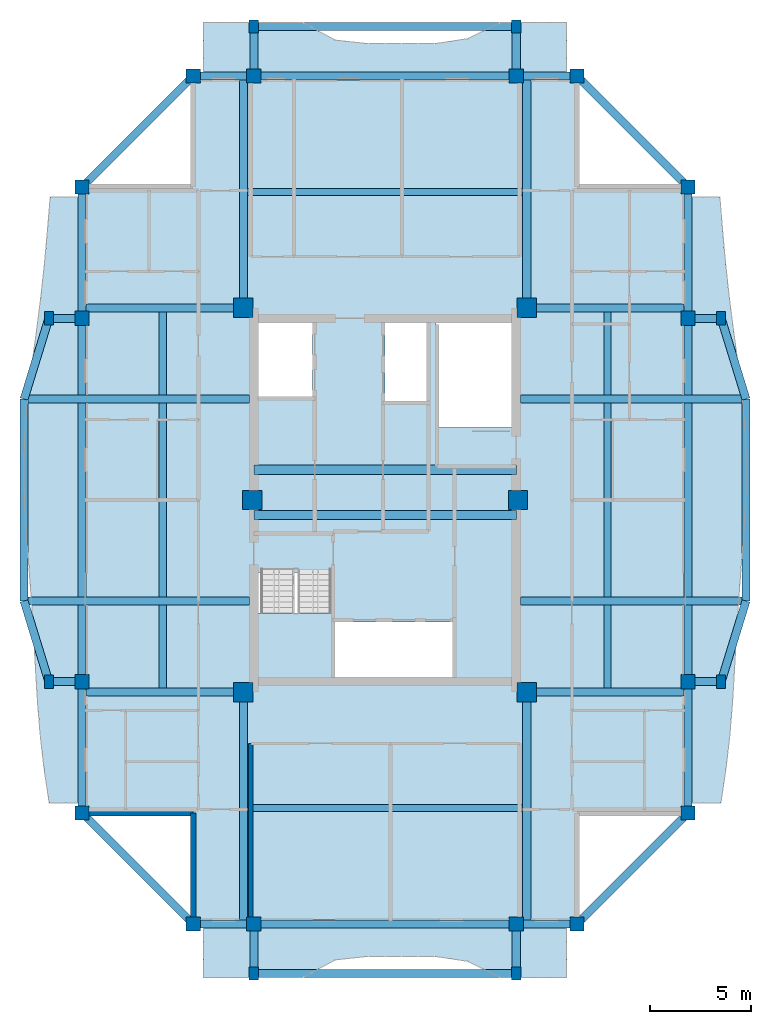
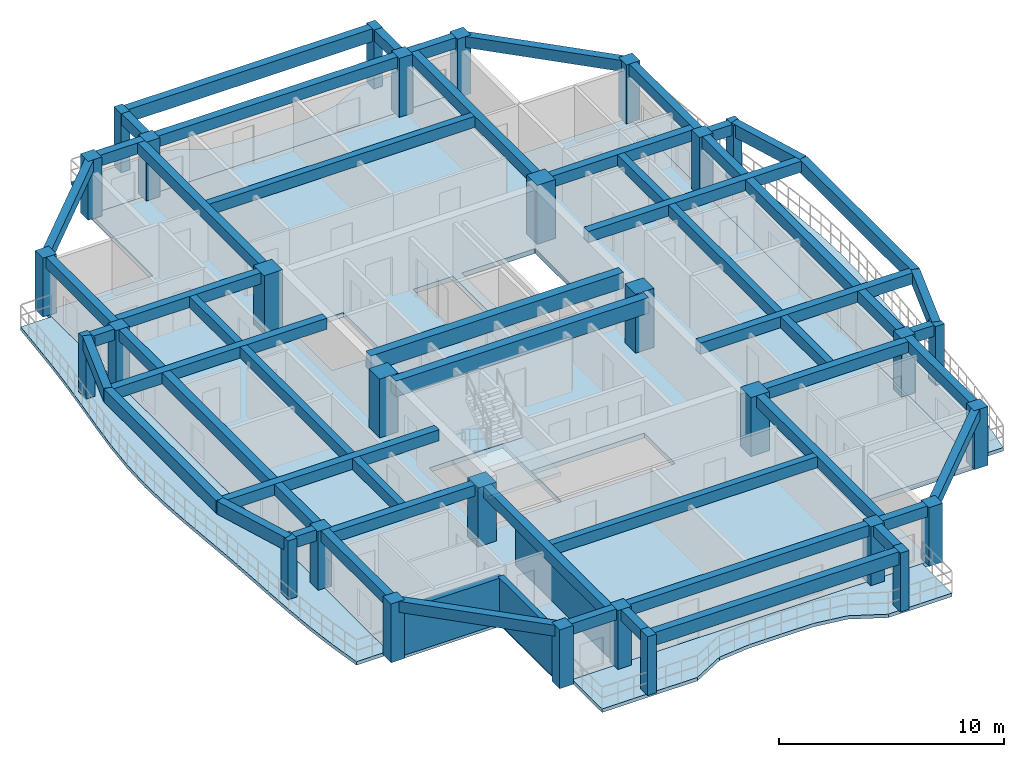
# One storey, part 1 of 11: 50 beams, 30 columns, 6 slabs, 3 walls, 1 element without a shape of its own.
"""IFC4 building model written with IfcOpenShell, lengths in metres."""

from ifc_helpers import new_model, si_unit, direction, frame, frame_2d, origin, origin_2d, place, context, subcontext, project, spatial, polyline, rectangle, outline, extrude, source, transform, mapped, material, layer, layer_set, material_profile, profile_set, type_object, element, aggregate, save


model = new_model("IFC4")

# Units and contexts
model_context = context("Model", 3, precision=1e-05, world=origin(), true_north=direction((0.0, 1.0)))
body_context = subcontext(model_context, "Body", "Model", "MODEL_VIEW")
ifc_project = project(units=[si_unit("LENGTHUNIT", "METRE"), si_unit("AREAUNIT", "SQUARE_METRE"), si_unit("VOLUMEUNIT", "CUBIC_METRE"), si_unit("PLANEANGLEUNIT", "RADIAN"), si_unit("MASSUNIT", "GRAM", prefix="KILO")], contexts=[model_context])

# Site, building, storey
site_placement = place(None, origin())
site = spatial("IfcSite", under=ifc_project, at=site_placement, CompositionType="ELEMENT")
building_placement = place(site_placement, origin())
building = spatial("IfcBuilding", under=site, at=building_placement, Name="Saelheon Loggia Tower", CompositionType="ELEMENT")
storey_placement = place(building_placement, frame((0.0, 0.0, 249.0)))
storey = spatial("IfcBuildingStorey", under=building, at=storey_placement, Name="L77", CompositionType="ELEMENT", Elevation=249.0)

# Columns
ifc_material_1 = material(Name="Concrete C45/55", Category="concrete")
ifc_material_profile_1 = material_profile(ifc_material_1, rectangle(XDim=0.949951171875, YDim=0.949951171875, at=origin_2d()), Name="RC-950x950")
ifc_profile_set_1 = profile_set([ifc_material_profile_1], Name="Concrete C45/55")
column_type_1 = type_object("IfcColumnType", Name="Col_Core_RC950", PredefinedType="COLUMN", material=ifc_profile_set_1)
shared_shape_1 = source(origin(), body_context, "Body", "SweptSolid", [
    extrude(rectangle(XDim=0.949951171875, YDim=0.949951171875, at=origin_2d()), origin(), (0.0, 0.0, 1.0), 3.199951171875),
])
for number, where, z_axis, x_axis, name in (
    (1, (30.97998046875, 17.47998046875, 0.0), (0.0, 0.0, 1.0), (1.0, 0.0, 0.0), "L77 Core Column CR-SW"),
    (2, (45.02001953125, 17.47998046875, 0.0), (0.0, 0.0, 1.0), (1.0, 0.0, 0.0), "L77 Core Column CR-SE"),
    (3, (30.97998046875, 36.52001953125, 0.0), (0.0, 0.0, 1.0), (1.0, 0.0, 0.0), "L77 Core Column CR-NW"),
    (4, (45.02001953125, 36.52001953125, 0.0), (0.0, 0.0, 1.0), (1.0, 0.0, 0.0), "L77 Core Column CR-NE"),
    (5, (31.419921875, 27.0, 0.0), (0.0, 0.0, 1.0), (1.0, 0.0, 0.0), "L77 Core Column CR-MW"),
    (6, (44.580078125, 27.0, 0.0), (0.0, 0.0, 1.0), (1.0, 0.0, 0.0), "L77 Core Column CR-ME"),
):
    element("IfcColumn", number, at=place(storey_placement, frame(where, z_axis=z_axis, x_axis=x_axis)), inside=storey, type_object=column_type_1, Name=name, PredefinedType="COLUMN", context=body_context, shape_type="MappedRepresentation", body=[
        mapped(shared_shape_1, transform((0.0, 0.0, 0.0), scale=1.0)),
    ])
ifc_material_profile_2 = material_profile(ifc_material_1, rectangle(XDim=0.699951171875, YDim=0.699951171875, at=origin_2d()), Name="RC-700x700")
ifc_profile_set_2 = profile_set([ifc_material_profile_2], Name="Concrete C45/55")
column_type_2 = type_object("IfcColumnType", Name="Col_Perim_RC700", PredefinedType="COLUMN", material=ifc_profile_set_2)
shared_shape_2 = source(origin(), body_context, "Body", "SweptSolid", [
    extrude(rectangle(XDim=0.699951171875, YDim=0.699951171875, at=origin_2d()), origin(), (0.0, 0.0, 1.0), 3.199951171875),
])
for number, where, z_axis, x_axis, name in (
    (7, (28.5, 6.0, 0.0), (0.0, 0.0, 1.0), (1.0, 0.0, 0.0), "L77 Perimeter Column TP-S1"),
    (8, (31.5, 6.0, 0.0), (0.0, 0.0, 1.0), (1.0, 0.0, 0.0), "L77 Perimeter Column TP-SA"),
    (9, (44.5, 6.0, 0.0), (0.0, 0.0, 1.0), (1.0, 0.0, 0.0), "L77 Perimeter Column TP-SB"),
    (10, (47.5, 6.0, 0.0), (0.0, 0.0, 1.0), (1.0, 0.0, 0.0), "L77 Perimeter Column TP-S2"),
    (11, (53.0, 11.5, 0.0), (0.0, 0.0, 1.0), (1.0, 0.0, 0.0), "L77 Perimeter Column TP-E1"),
    (12, (53.0, 18.0, 0.0), (0.0, 0.0, 1.0), (1.0, 0.0, 0.0), "L77 Perimeter Column TP-EA"),
    (13, (53.0, 36.0, 0.0), (0.0, 0.0, 1.0), (1.0, 0.0, 0.0), "L77 Perimeter Column TP-EB"),
    (14, (53.0, 42.5, 0.0), (0.0, 0.0, 1.0), (1.0, 0.0, 0.0), "L77 Perimeter Column TP-E2"),
    (15, (47.5, 48.0, 0.0), (0.0, 0.0, 1.0), (1.0, 0.0, 0.0), "L77 Perimeter Column TP-N2"),
    (16, (44.5, 48.0, 0.0), (0.0, 0.0, 1.0), (1.0, 0.0, 0.0), "L77 Perimeter Column TP-NB"),
    (17, (31.5, 48.0, 0.0), (0.0, 0.0, 1.0), (1.0, 0.0, 0.0), "L77 Perimeter Column TP-NA"),
    (18, (28.5, 48.0, 0.0), (0.0, 0.0, 1.0), (1.0, 0.0, 0.0), "L77 Perimeter Column TP-N1"),
    (19, (23.0, 42.5, 0.0), (0.0, 0.0, 1.0), (1.0, 0.0, 0.0), "L77 Perimeter Column TP-W2"),
    (20, (23.0, 36.0, 0.0), (0.0, 0.0, 1.0), (1.0, 0.0, 0.0), "L77 Perimeter Column TP-WB"),
    (21, (23.0, 18.0, 0.0), (0.0, 0.0, 1.0), (1.0, 0.0, 0.0), "L77 Perimeter Column TP-WA"),
    (22, (23.0, 11.5, 0.0), (0.0, 0.0, 1.0), (1.0, 0.0, 0.0), "L77 Perimeter Column TP-W1"),
):
    element("IfcColumn", number, at=place(storey_placement, frame(where, z_axis=z_axis, x_axis=x_axis)), inside=storey, type_object=column_type_2, Name=name, PredefinedType="COLUMN", context=body_context, shape_type="MappedRepresentation", body=[
        mapped(shared_shape_2, transform((0.0, 0.0, 0.0), scale=1.0)),
    ])
ifc_material_2 = material(Name="Precast Concrete C45/55", Category="concrete")
ifc_material_profile_3 = material_profile(ifc_material_2, rectangle(XDim=0.449951171875, YDim=0.64990234375, at=origin_2d()), Name="RC-450x650")
ifc_profile_set_3 = profile_set([ifc_material_profile_3], Name="Precast Concrete C45/55")
column_type_3 = type_object("IfcColumnType", Name="Col_Loggia_Pilaster_650", PredefinedType="PILASTER", material=ifc_profile_set_3)
shared_shape_3 = source(origin(), body_context, "Body", "SweptSolid", [
    extrude(rectangle(XDim=0.449951171875, YDim=0.64990234375, at=origin_2d()), origin(), (0.0, 0.0, 1.0), 3.199951171875),
])
for number, where, z_axis, x_axis, name in (
    (23, (31.5, 3.550048828125, 0.0), (0.0, 0.0, 1.0), (1.0, 0.0, 0.0), "L77 Loggia Frame Pilaster LP-S1"),
    (24, (44.5, 3.550048828125, 0.0), (0.0, 0.0, 1.0), (1.0, 0.0, 0.0), "L77 Loggia Frame Pilaster LP-S2"),
    (25, (31.5, 50.449951171875, 0.0), (0.0, 0.0, 1.0), (1.0, 0.0, 0.0), "L77 Loggia Frame Pilaster LP-N1"),
    (26, (44.5, 50.449951171875, 0.0), (0.0, 0.0, 1.0), (1.0, 0.0, 0.0), "L77 Loggia Frame Pilaster LP-N2"),
    (27, (54.64990234375, 18.0, 0.0), (0.0, 0.0, 1.0), (1.0, 0.0, 0.0), "L77 Loggia Frame Pilaster LP-E1"),
    (28, (54.64990234375, 36.0, 0.0), (0.0, 0.0, 1.0), (1.0, 0.0, 0.0), "L77 Loggia Frame Pilaster LP-E2"),
    (29, (21.35009765625, 18.0, 0.0), (0.0, 0.0, 1.0), (1.0, 0.0, 0.0), "L77 Loggia Frame Pilaster LP-W1"),
    (30, (21.35009765625, 36.0, 0.0), (0.0, 0.0, 1.0), (1.0, 0.0, 0.0), "L77 Loggia Frame Pilaster LP-W2"),
):
    element("IfcColumn", number, at=place(storey_placement, frame(where, z_axis=z_axis, x_axis=x_axis)), inside=storey, type_object=column_type_3, Name=name, PredefinedType="PILASTER", context=body_context, shape_type="MappedRepresentation", body=[
        mapped(shared_shape_3, transform((0.0, 0.0, 0.0), scale=1.0)),
    ])

# Beams
ifc_material_3 = material(Name="Concrete C50/60", Category="concrete")
ifc_material_profile_4 = material_profile(ifc_material_3, rectangle(XDim=0.449951171875, YDim=0.85009765625, at=origin_2d()), Name="RC-450x850")
ifc_profile_set_4 = profile_set([ifc_material_profile_4], Name="Concrete C50/60")
beam_type_1 = type_object("IfcBeamType", Name="Beam_CoreLintel_RC450x850", PredefinedType="LINTEL", material=ifc_profile_set_4)
shared_shape_4 = source(origin(), body_context, "Body", "SweptSolid", [
    extrude(rectangle(XDim=0.449951171875, YDim=0.85009765625, at=origin_2d()), origin(), (0.0, 0.0, 1.0), 13.0),
])
for number, where, z_axis, x_axis, name in (
    (31, (31.5, 26.25, 2.77490234375), (1.0, 0.0, 0.0), (0.0, 1.0, 0.0), "L77 Core Coupling Lintel 1"),
    (32, (31.5, 28.5, 2.77490234375), (1.0, 0.0, 0.0), (0.0, 1.0, 0.0), "L77 Core Coupling Lintel 2"),
):
    element("IfcBeam", number, at=place(storey_placement, frame(where, z_axis=z_axis, x_axis=x_axis)), inside=storey, type_object=beam_type_1, Name=name, PredefinedType="LINTEL", context=body_context, shape_type="MappedRepresentation", body=[
        mapped(shared_shape_4, transform((0.0, 0.0, 0.0), scale=1.0)),
    ])
ifc_material_profile_5 = material_profile(ifc_material_2, rectangle(XDim=0.39990234375, YDim=0.60009765625, at=origin_2d()), Name="RC-400x600")
ifc_profile_set_5 = profile_set([ifc_material_profile_5], Name="Precast Concrete C45/55")
beam_type_2 = type_object("IfcBeamType", Name="Beam_LoggiaTie_RC400x600", PredefinedType="BEAM", material=ifc_profile_set_5)
shared_shape_5 = source(origin(), body_context, "Body", "SweptSolid", [
    extrude(rectangle(XDim=0.39990234375, YDim=0.60009765625, at=origin_2d()), origin(), (0.0, 0.0, 1.0), 2.449951171875),
])
for number, where, z_axis, x_axis, name in (
    (33, (31.5, 6.0, 2.89990234375), (0.0, -1.0, 0.0), (1.0, 0.0, 0.0), "L77 Loggia Frame Tie Beam LP-S1"),
    (34, (44.5, 6.0, 2.89990234375), (0.0, -1.0, 0.0), (1.0, 0.0, 0.0), "L77 Loggia Frame Tie Beam LP-S2"),
    (35, (31.5, 48.0, 2.89990234375), (0.0, 1.0, 0.0), (-1.0, 0.0, 0.0), "L77 Loggia Frame Tie Beam LP-N1"),
    (36, (44.5, 48.0, 2.89990234375), (0.0, 1.0, 0.0), (-1.0, 0.0, 0.0), "L77 Loggia Frame Tie Beam LP-N2"),
):
    element("IfcBeam", number, at=place(storey_placement, frame(where, z_axis=z_axis, x_axis=x_axis)), inside=storey, type_object=beam_type_2, Name=name, PredefinedType="BEAM", context=body_context, shape_type="MappedRepresentation", body=[
        mapped(shared_shape_5, transform((0.0, 0.0, 0.0), scale=1.0)),
    ])
ifc_material_profile_6 = material_profile(ifc_material_1, rectangle(XDim=0.35009765625, YDim=0.60009765625, at=origin_2d()), Name="RC-350x600")
ifc_profile_set_6 = profile_set([ifc_material_profile_6], Name="Concrete C45/55")
beam_type_3 = type_object("IfcBeamType", Name="Beam_AmenityJoist_RC350x600", PredefinedType="JOIST", material=ifc_profile_set_6)
shared_shape_6 = source(origin(), body_context, "Body", "SweptSolid", [
    extrude(rectangle(XDim=0.35009765625, YDim=0.60009765625, at=origin_2d()), origin(), (0.0, 0.0, 1.0), 14.0400390625),
])
for number, where, z_axis, x_axis, name in (
    (37, (30.97998046875, 11.739990234375, 2.89990234375), (1.0, 0.0, 0.0), (0.0, 1.0, 0.0), "L77 South Floor Joist"),
    (38, (30.97998046875, 42.260009765625, 2.89990234375), (1.0, 0.0, 0.0), (0.0, 1.0, 0.0), "L77 North Floor Joist"),
):
    element("IfcBeam", number, at=place(storey_placement, frame(where, z_axis=z_axis, x_axis=x_axis)), inside=storey, type_object=beam_type_3, Name=name, PredefinedType="JOIST", context=body_context, shape_type="MappedRepresentation", body=[
        mapped(shared_shape_6, transform((0.0, 0.0, 0.0), scale=1.0)),
    ])
shared_shape_7 = source(origin(), body_context, "Body", "SweptSolid", [
    extrude(rectangle(XDim=0.35009765625, YDim=0.60009765625, at=origin_2d()), origin(), (0.0, 0.0, 1.0), 19.0400390625),
])
for number, where, z_axis, x_axis, name in (
    (39, (26.989990234375, 17.47998046875, 2.89990234375), (0.0, 1.0, 0.0), (-1.0, 0.0, 0.0), "L77 West Floor Joist"),
    (40, (49.010009765625, 17.47998046875, 2.89990234375), (0.0, 1.0, 0.0), (-1.0, 0.0, 0.0), "L77 East Floor Joist"),
):
    element("IfcBeam", number, at=place(storey_placement, frame(where, z_axis=z_axis, x_axis=x_axis)), inside=storey, type_object=beam_type_3, Name=name, PredefinedType="JOIST", context=body_context, shape_type="MappedRepresentation", body=[
        mapped(shared_shape_7, transform((0.0, 0.0, 0.0), scale=1.0)),
    ])
shared_shape_8 = source(origin(), body_context, "Body", "SweptSolid", [
    extrude(rectangle(XDim=0.39990234375, YDim=0.60009765625, at=origin_2d()), origin(), (0.0, 0.0, 1.0), 1.64990234375),
])
for number, where, z_axis, x_axis, name in (
    (41, (53.0, 18.0, 2.89990234375), (1.0, 0.0, 0.0), (0.0, 1.0, 0.0), "L77 Loggia Frame Tie Beam LP-E1"),
    (42, (53.0, 36.0, 2.89990234375), (1.0, 0.0, 0.0), (0.0, 1.0, 0.0), "L77 Loggia Frame Tie Beam LP-E2"),
    (43, (23.0, 18.0, 2.89990234375), (-1.0, 0.0, 0.0), (0.0, -1.0, 0.0), "L77 Loggia Frame Tie Beam LP-W1"),
    (44, (23.0, 36.0, 2.89990234375), (-1.0, 0.0, 0.0), (0.0, -1.0, 0.0), "L77 Loggia Frame Tie Beam LP-W2"),
):
    element("IfcBeam", number, at=place(storey_placement, frame(where, z_axis=z_axis, x_axis=x_axis)), inside=storey, type_object=beam_type_2, Name=name, PredefinedType="BEAM", context=body_context, shape_type="MappedRepresentation", body=[
        mapped(shared_shape_8, transform((0.0, 0.0, 0.0), scale=1.0)),
    ])
ifc_material_profile_7 = material_profile(ifc_material_2, rectangle(XDim=0.39990234375, YDim=0.699951171875, at=origin_2d()), Name="RC-400x700")
ifc_profile_set_7 = profile_set([ifc_material_profile_7], Name="Precast Concrete C45/55")
beam_type_4 = type_object("IfcBeamType", Name="Beam_LoggiaSpandrel_RC400x700", PredefinedType="SPANDREL", material=ifc_profile_set_7)
shared_shape_9 = source(origin(), body_context, "Body", "SweptSolid", [
    extrude(rectangle(XDim=0.39990234375, YDim=0.699951171875, at=origin_2d()), origin(), (0.0, 0.0, 1.0), 13.0),
])
for number, where, z_axis, x_axis, name in (
    (45, (31.5, 3.550048828125, 2.85009765625), (1.0, 0.0, 0.0), (0.0, 1.0, 0.0), "L77 Loggia Spandrel Beam S"),
    (46, (31.5, 50.449951171875, 2.85009765625), (1.0, 0.0, 0.0), (0.0, 1.0, 0.0), "L77 Loggia Spandrel Beam N"),
):
    element("IfcBeam", number, at=place(storey_placement, frame(where, z_axis=z_axis, x_axis=x_axis)), inside=storey, type_object=beam_type_4, Name=name, PredefinedType="SPANDREL", context=body_context, shape_type="MappedRepresentation", body=[
        mapped(shared_shape_9, transform((0.0, 0.0, 0.0), scale=1.0)),
    ])
shared_shape_10 = source(origin(), body_context, "Body", "SweptSolid", [
    extrude(rectangle(XDim=0.39990234375, YDim=0.699951171875, at=origin_2d()), origin(), (0.0, 0.0, 1.0), 4.184814453125),
])
for number, where, z_axis, x_axis, name in (
    (47, (54.64990234375, 18.0, 2.85009765625), (0.293913664135, 0.955831971653, 0.0), (-0.955831971653, 0.293913664135, 0.0), "L77 Curved Loggia Spandrel E 1"),
    (48, (55.8798828125, 32.0, 2.85009765625), (-0.293913664135, 0.955831971653, 0.0), (-0.955831971653, -0.293913664135, 0.0), "L77 Curved Loggia Spandrel E 3"),
    (49, (21.35009765625, 18.0, 2.85009765625), (-0.293913664135, 0.955831971653, 0.0), (-0.955831971653, -0.293913664135, 0.0), "L77 Curved Loggia Spandrel W 1"),
    (50, (20.1201171875, 32.0, 2.85009765625), (0.293913664135, 0.955831971653, 0.0), (-0.955831971653, 0.293913664135, 0.0), "L77 Curved Loggia Spandrel W 3"),
):
    element("IfcBeam", number, at=place(storey_placement, frame(where, z_axis=z_axis, x_axis=x_axis)), inside=storey, type_object=beam_type_4, Name=name, PredefinedType="SPANDREL", context=body_context, shape_type="MappedRepresentation", body=[
        mapped(shared_shape_10, transform((0.0, 0.0, 0.0), scale=1.0)),
    ])
shared_shape_11 = source(origin(), body_context, "Body", "SweptSolid", [
    extrude(rectangle(XDim=0.39990234375, YDim=0.699951171875, at=origin_2d()), origin(), (0.0, 0.0, 1.0), 10.0),
])
for number, where, z_axis, x_axis, name in (
    (51, (55.8798828125, 22.0, 2.85009765625), (0.0, 1.0, 0.0), (-1.0, 0.0, 0.0), "L77 Curved Loggia Spandrel E 2"),
    (52, (20.1201171875, 22.0, 2.85009765625), (0.0, 1.0, 0.0), (-1.0, 0.0, 0.0), "L77 Curved Loggia Spandrel W 2"),
):
    element("IfcBeam", number, at=place(storey_placement, frame(where, z_axis=z_axis, x_axis=x_axis)), inside=storey, type_object=beam_type_4, Name=name, PredefinedType="SPANDREL", context=body_context, shape_type="MappedRepresentation", body=[
        mapped(shared_shape_11, transform((0.0, 0.0, 0.0), scale=1.0)),
    ])
ifc_material_4 = material(Name="Concrete C40/50", Category="concrete")
ifc_material_profile_8 = material_profile(ifc_material_4, rectangle(XDim=0.39990234375, YDim=0.60009765625, at=origin_2d()), Name="RC-400x600")
ifc_profile_set_8 = profile_set([ifc_material_profile_8], Name="Concrete C40/50")
beam_type_5 = type_object("IfcBeamType", Name="Beam_PerimUpper_RC400x600", PredefinedType="BEAM", material=ifc_profile_set_8)
shared_shape_12 = source(origin(), body_context, "Body", "SweptSolid", [
    extrude(rectangle(XDim=0.39990234375, YDim=0.60009765625, at=origin_2d()), origin(), (0.0, 0.0, 1.0), 13.0),
])
for number, where, z_axis, x_axis, name in (
    (53, (31.5, 6.0, 2.89990234375), (1.0, 0.0, 0.0), (0.0, 1.0, 0.0), "L77 Perimeter Frame Girder 02"),
    (54, (44.5, 48.0, 2.89990234375), (-1.0, 0.0, 0.0), (0.0, -1.0, 0.0), "L77 Perimeter Frame Girder 10"),
):
    element("IfcBeam", number, at=place(storey_placement, frame(where, z_axis=z_axis, x_axis=x_axis)), inside=storey, type_object=beam_type_5, Name=name, PredefinedType="BEAM", context=body_context, shape_type="MappedRepresentation", body=[
        mapped(shared_shape_12, transform((0.0, 0.0, 0.0), scale=1.0)),
    ])
shared_shape_13 = source(origin(), body_context, "Body", "SweptSolid", [
    extrude(rectangle(XDim=0.39990234375, YDim=0.60009765625, at=origin_2d()), origin(), (0.0, 0.0, 1.0), 18.0),
])
for number, where, z_axis, x_axis, name in (
    (55, (53.0, 18.0, 2.89990234375), (0.0, 1.0, 0.0), (-1.0, 0.0, 0.0), "L77 Perimeter Frame Girder 06"),
    (56, (23.0, 36.0, 2.89990234375), (0.0, -1.0, 0.0), (1.0, 0.0, 0.0), "L77 Perimeter Frame Girder 14"),
):
    element("IfcBeam", number, at=place(storey_placement, frame(where, z_axis=z_axis, x_axis=x_axis)), inside=storey, type_object=beam_type_5, Name=name, PredefinedType="BEAM", context=body_context, shape_type="MappedRepresentation", body=[
        mapped(shared_shape_13, transform((0.0, 0.0, 0.0), scale=1.0)),
    ])
ifc_material_profile_9 = material_profile(ifc_material_4, rectangle(XDim=0.39990234375, YDim=0.60009765625, at=origin_2d()), Name="RC-400x600")
ifc_profile_set_9 = profile_set([ifc_material_profile_9], Name="Concrete C40/50")
beam_type_6 = type_object("IfcBeamType", Name="Beam_UpperGirder_RC400x600", PredefinedType="BEAM", material=ifc_profile_set_9)
shared_shape_14 = source(origin(), body_context, "Body", "SweptSolid", [
    extrude(rectangle(XDim=0.39990234375, YDim=0.60009765625, at=origin_2d()), origin(), (0.0, 0.0, 1.0), 11.47998046875),
])
for number, where, z_axis, x_axis, name in (
    (57, (30.97998046875, 17.47998046875, 2.89990234375), (0.0, -1.0, 0.0), (1.0, 0.0, 0.0), "L77 Radial Floor Girder RAD-SW-S"),
    (58, (45.02001953125, 17.47998046875, 2.89990234375), (0.0, -1.0, 0.0), (1.0, 0.0, 0.0), "L77 Radial Floor Girder RAD-SE-S"),
    (59, (30.97998046875, 36.52001953125, 2.89990234375), (0.0, 1.0, 0.0), (-1.0, 0.0, 0.0), "L77 Radial Floor Girder RAD-NW-N"),
    (60, (45.02001953125, 36.52001953125, 2.89990234375), (0.0, 1.0, 0.0), (-1.0, 0.0, 0.0), "L77 Radial Floor Girder RAD-NE-N"),
):
    element("IfcBeam", number, at=place(storey_placement, frame(where, z_axis=z_axis, x_axis=x_axis)), inside=storey, type_object=beam_type_6, Name=name, PredefinedType="BEAM", context=body_context, shape_type="MappedRepresentation", body=[
        mapped(shared_shape_14, transform((0.0, 0.0, 0.0), scale=1.0)),
    ])
shared_shape_15 = source(origin(), body_context, "Body", "SweptSolid", [
    extrude(rectangle(XDim=0.39990234375, YDim=0.60009765625, at=origin_2d()), origin(), (0.0, 0.0, 1.0), 6.5),
])
for number, where, z_axis, x_axis, name in (
    (61, (53.0, 11.5, 2.89990234375), (0.0, 1.0, 0.0), (-1.0, 0.0, 0.0), "L77 Perimeter Frame Girder 05"),
    (62, (53.0, 36.0, 2.89990234375), (0.0, 1.0, 0.0), (-1.0, 0.0, 0.0), "L77 Perimeter Frame Girder 07"),
    (63, (23.0, 42.5, 2.89990234375), (0.0, -1.0, 0.0), (1.0, 0.0, 0.0), "L77 Perimeter Frame Girder 13"),
    (64, (23.0, 18.0, 2.89990234375), (0.0, -1.0, 0.0), (1.0, 0.0, 0.0), "L77 Perimeter Frame Girder 15"),
):
    element("IfcBeam", number, at=place(storey_placement, frame(where, z_axis=z_axis, x_axis=x_axis)), inside=storey, type_object=beam_type_5, Name=name, PredefinedType="BEAM", context=body_context, shape_type="MappedRepresentation", body=[
        mapped(shared_shape_15, transform((0.0, 0.0, 0.0), scale=1.0)),
    ])
shared_shape_16 = source(origin(), body_context, "Body", "SweptSolid", [
    extrude(rectangle(XDim=0.39990234375, YDim=0.60009765625, at=origin_2d()), origin(), (0.0, 0.0, 1.0), 7.778076171875),
])
for number, where, z_axis, x_axis, name in (
    (65, (47.5, 6.0, 2.89990234375), (0.707106781187, 0.707106781187, 0.0), (-0.707106781187, 0.707106781187, 0.0), "L77 Perimeter Frame Girder 04"),
    (66, (53.0, 42.5, 2.89990234375), (-0.707106781187, 0.707106781187, 0.0), (-0.707106781187, -0.707106781187, 0.0), "L77 Perimeter Frame Girder 08"),
    (67, (28.5, 48.0, 2.89990234375), (-0.707106781187, -0.707106781187, 0.0), (0.707106781187, -0.707106781187, 0.0), "L77 Perimeter Frame Girder 12"),
    (68, (23.0, 11.5, 2.89990234375), (0.707106781187, -0.707106781187, 0.0), (0.707106781187, 0.707106781187, 0.0), "L77 Perimeter Frame Girder 16"),
):
    element("IfcBeam", number, at=place(storey_placement, frame(where, z_axis=z_axis, x_axis=x_axis)), inside=storey, type_object=beam_type_5, Name=name, PredefinedType="BEAM", context=body_context, shape_type="MappedRepresentation", body=[
        mapped(shared_shape_16, transform((0.0, 0.0, 0.0), scale=1.0)),
    ])
shared_shape_17 = source(origin(), body_context, "Body", "SweptSolid", [
    extrude(rectangle(XDim=0.39990234375, YDim=0.60009765625, at=origin_2d()), origin(), (0.0, 0.0, 1.0), 3.0),
])
for number, where, z_axis, x_axis, name in (
    (69, (28.5, 6.0, 2.89990234375), (1.0, 0.0, 0.0), (0.0, 1.0, 0.0), "L77 Perimeter Frame Girder 01"),
    (70, (44.5, 6.0, 2.89990234375), (1.0, 0.0, 0.0), (0.0, 1.0, 0.0), "L77 Perimeter Frame Girder 03"),
    (71, (47.5, 48.0, 2.89990234375), (-1.0, 0.0, 0.0), (0.0, -1.0, 0.0), "L77 Perimeter Frame Girder 09"),
    (72, (31.5, 48.0, 2.89990234375), (-1.0, 0.0, 0.0), (0.0, -1.0, 0.0), "L77 Perimeter Frame Girder 11"),
):
    element("IfcBeam", number, at=place(storey_placement, frame(where, z_axis=z_axis, x_axis=x_axis)), inside=storey, type_object=beam_type_5, Name=name, PredefinedType="BEAM", context=body_context, shape_type="MappedRepresentation", body=[
        mapped(shared_shape_17, transform((0.0, 0.0, 0.0), scale=1.0)),
    ])
shared_shape_18 = source(origin(), body_context, "Body", "SweptSolid", [
    extrude(rectangle(XDim=0.39990234375, YDim=0.60009765625, at=origin_2d()), origin(), (0.0, 0.0, 1.0), 7.97998046875),
])
for number, where, z_axis, x_axis, name in (
    (73, (30.97998046875, 17.47998046875, 2.89990234375), (-1.0, 0.0, 0.0), (0.0, -1.0, 0.0), "L77 Radial Floor Girder RAD-SW-W"),
    (74, (30.97998046875, 36.52001953125, 2.89990234375), (-1.0, 0.0, 0.0), (0.0, -1.0, 0.0), "L77 Radial Floor Girder RAD-NW-W"),
    (75, (45.02001953125, 17.47998046875, 2.89990234375), (1.0, 0.0, 0.0), (0.0, 1.0, 0.0), "L77 Radial Floor Girder RAD-SE-E"),
    (76, (45.02001953125, 36.52001953125, 2.89990234375), (1.0, 0.0, 0.0), (0.0, 1.0, 0.0), "L77 Radial Floor Girder RAD-NE-E"),
):
    element("IfcBeam", number, at=place(storey_placement, frame(where, z_axis=z_axis, x_axis=x_axis)), inside=storey, type_object=beam_type_6, Name=name, PredefinedType="BEAM", context=body_context, shape_type="MappedRepresentation", body=[
        mapped(shared_shape_18, transform((0.0, 0.0, 0.0), scale=1.0)),
    ])
shared_shape_19 = source(origin(), body_context, "Body", "SweptSolid", [
    extrude(rectangle(XDim=0.39990234375, YDim=0.60009765625, at=origin_2d()), origin(), (0.0, 0.0, 1.0), 11.159912109375),
])
for number, where, z_axis, x_axis, name in (
    (77, (44.719970703125, 22.0, 2.89990234375), (1.0, 0.0, 0.0), (0.0, 1.0, 0.0), "L77 Curved Facade Outrigger Beam E 1"),
    (78, (44.719970703125, 32.0, 2.89990234375), (1.0, 0.0, 0.0), (0.0, 1.0, 0.0), "L77 Curved Facade Outrigger Beam E 2"),
    (79, (31.280029296875, 22.0, 2.89990234375), (-1.0, 0.0, 0.0), (0.0, -1.0, 0.0), "L77 Curved Facade Outrigger Beam W 1"),
    (80, (31.280029296875, 32.0, 2.89990234375), (-1.0, 0.0, 0.0), (0.0, -1.0, 0.0), "L77 Curved Facade Outrigger Beam W 2"),
):
    element("IfcBeam", number, at=place(storey_placement, frame(where, z_axis=z_axis, x_axis=x_axis)), inside=storey, type_object=beam_type_2, Name=name, PredefinedType="BEAM", context=body_context, shape_type="MappedRepresentation", body=[
        mapped(shared_shape_19, transform((0.0, 0.0, 0.0), scale=1.0)),
    ])

# Slabs
ifc_layer_1 = layer(ifc_material_1, 0.260009765625)
ifc_layer_set_1 = layer_set([ifc_layer_1], Name="Concrete C45/55")
slab_type_1 = type_object("IfcSlabType", Name="Slab_Amenity_260", PredefinedType="FLOOR", material=ifc_layer_set_1)
slab_1_placement = place(storey_placement, frame((0.0, 0.0, -0.260009765625)))
element("IfcSlab", 81, at=slab_1_placement, inside=storey, type_object=slab_type_1, Name="L77 Tower Floor Slab", PredefinedType="FLOOR", context=body_context, shape_type="SweptSolid", body=[
    extrude(outline(polyline([(28.5, 6.0), (47.5, 6.0), (47.5, 11.5), (53.0, 11.5), (53.0, 42.5), (47.5, 42.5), (47.5, 48.0), (28.5, 48.0), (28.5, 42.5), (23.0, 42.5), (23.0, 11.5), (28.5, 11.5), (28.5, 6.0)]), holes=[polyline([(31.699951171875, 23.409912109375), (31.699951171875, 18.199951171875), (35.47998046875, 18.199951171875), (35.47998046875, 23.409912109375), (31.699951171875, 23.409912109375)]), polyline([(44.300048828125, 30.590087890625), (44.300048828125, 35.800048828125), (40.52001953125, 35.800048828125), (40.52001953125, 30.590087890625), (44.300048828125, 30.590087890625)]), polyline([(35.530029296875, 18.22509765625), (41.35009765625, 18.22509765625), (41.35009765625, 20.9599609375), (35.530029296875, 20.9599609375), (35.530029296875, 18.22509765625)]), polyline([(31.72509765625, 32.1201171875), (34.419921875, 32.1201171875), (34.419921875, 35.77490234375), (31.72509765625, 35.77490234375), (31.72509765625, 32.1201171875)]), polyline([(38.0, 31.89990234375), (40.050048828125, 31.89990234375), (40.050048828125, 35.77490234375), (38.0, 35.77490234375), (38.0, 31.89990234375)])]), origin(), (0.0, 0.0, 1.0), 0.260009765625),
])
ifc_layer_2 = layer(ifc_material_2, 0.18994140625)
ifc_layer_set_2 = layer_set([ifc_layer_2], Name="Precast Concrete C45/55")
slab_type_2 = type_object("IfcSlabType", Name="Slab_Loggia_Ext_190", PredefinedType="FLOOR", material=ifc_layer_set_2)
slab_2_placement = place(storey_placement, frame((0.0, 0.0, -0.18994140625)))
element("IfcSlab", 82, at=slab_2_placement, inside=storey, type_object=slab_type_2, Name="L77 Loggia Balcony Slab S", PredefinedType="FLOOR", context=body_context, shape_type="SweptSolid", body=[
    extrude(outline(polyline([(29.0, 3.35009765625), (30.636474609375, 3.35009765625), (32.272705078125, 3.35009765625), (33.9091796875, 3.3505859375), (35.54541015625, 4.22314453125), (37.181884765625, 4.39990234375), (38.818115234375, 4.39990234375), (40.45458984375, 4.39990234375), (42.0908203125, 4.1513671875), (43.727294921875, 3.35009765625), (45.363525390625, 3.35009765625), (47.0, 3.35009765625), (47.0, 6.0), (29.0, 6.0), (29.0, 3.35009765625)])), origin(), (0.0, 0.0, 1.0), 0.18994140625),
])
slab_3_placement = place(storey_placement, frame((0.0, 0.0, -0.18994140625)))
element("IfcSlab", 83, at=slab_3_placement, inside=storey, type_object=slab_type_2, Name="L77 Loggia Balcony Slab N", PredefinedType="FLOOR", context=body_context, shape_type="SweptSolid", body=[
    extrude(outline(polyline([(29.0, 48.0), (47.0, 48.0), (47.0, 50.64990234375), (45.363525390625, 50.64990234375), (43.727294921875, 50.64990234375), (42.0908203125, 49.8486328125), (40.45458984375, 49.60009765625), (38.818115234375, 49.60009765625), (37.181884765625, 49.60009765625), (35.54541015625, 49.77685546875), (33.9091796875, 50.6494140625), (32.272705078125, 50.64990234375), (30.636474609375, 50.64990234375), (29.0, 50.64990234375), (29.0, 48.0)])), origin(), (0.0, 0.0, 1.0), 0.18994140625),
])
slab_4_placement = place(storey_placement, frame((0.0, 0.0, -0.18994140625)))
element("IfcSlab", 84, at=slab_4_placement, inside=storey, type_object=slab_type_2, Name="L77 Loggia Balcony Slab E", PredefinedType="FLOOR", context=body_context, shape_type="SweptSolid", body=[
    extrude(outline(polyline([(53.0, 12.0), (54.635009765625, 12.0), (54.88623046875, 13.666748046875), (55.079345703125, 15.333251953125), (55.21533203125, 17.0), (55.314697265625, 18.666748046875), (55.406494140625, 20.333251953125), (55.51318359375, 22.0), (55.638671875, 23.666748046875), (55.765625, 25.333251953125), (55.862060546875, 27.0), (55.8935546875, 28.666748046875), (55.838623046875, 30.333251953125), (55.69873046875, 32.0), (55.4970703125, 33.666748046875), (55.27099609375, 35.333251953125), (55.05615234375, 37.0), (54.8740234375, 38.666748046875), (54.723876953125, 40.333251953125), (54.585693359375, 42.0), (53.0, 42.0), (53.0, 12.0)])), origin(), (0.0, 0.0, 1.0), 0.18994140625),
])
slab_5_placement = place(storey_placement, frame((0.0, 0.0, -0.18994140625)))
element("IfcSlab", 85, at=slab_5_placement, inside=storey, type_object=slab_type_2, Name="L77 Loggia Balcony Slab W", PredefinedType="FLOOR", context=body_context, shape_type="SweptSolid", body=[
    extrude(outline(polyline([(23.0, 12.0), (23.0, 42.0), (21.414306640625, 42.0), (21.276123046875, 40.333251953125), (21.1259765625, 38.666748046875), (20.94384765625, 37.0), (20.72900390625, 35.333251953125), (20.5029296875, 33.666748046875), (20.30126953125, 32.0), (20.161376953125, 30.333251953125), (20.1064453125, 28.666748046875), (20.137939453125, 27.0), (20.234375, 25.333251953125), (20.361328125, 23.666748046875), (20.48681640625, 22.0), (20.593505859375, 20.333251953125), (20.685302734375, 18.666748046875), (20.78466796875, 17.0), (20.920654296875, 15.333251953125), (21.11376953125, 13.666748046875), (21.364990234375, 12.0), (23.0, 12.0)])), origin(), (0.0, 0.0, 1.0), 0.18994140625),
])

# Stair, slab
stair_type = type_object("IfcStairType", Name="Stair_Plant_Crown", PredefinedType="HALF_TURN_STAIR", material=ifc_material_4)
stair_placement = place(storey_placement, origin())
stair = element("IfcStair", 86, at=stair_placement, inside=storey, type_object=stair_type, Name="L77 Crown Plant Stair ST5", PredefinedType="HALF_TURN_STAIR")
ifc_layer_3 = layer(ifc_material_4, 0.199951171875)
ifc_layer_set_3 = layer_set([ifc_layer_3], Name="Concrete C40/50")
slab_type_3 = type_object("IfcSlabType", Name="Slab_StairLanding_ST5", PredefinedType="LANDING", material=ifc_layer_set_3)
slab_6_placement = place(storey_placement, frame((0.0, 0.0, 1.39990234375)))
slab_6 = element("IfcSlab", 87, at=slab_6_placement, type_object=slab_type_3, Name="ST5 landing 1", PredefinedType="LANDING", context=body_context, shape_type="SweptSolid", body=[
    extrude(outline(polyline([(31.7099609375, 21.409912109375), (31.7099609375, 18.2099609375), (35.469970703125, 18.2099609375), (35.469970703125, 21.409912109375), (31.7099609375, 21.409912109375)])), origin(), (0.0, 0.0, 1.0), 0.2001953125),
])
aggregate(stair, [slab_6])

# Walls
ifc_material_5 = material(Name="Architectural Precast Concrete C40/50", Category="concrete")
ifc_layer_4 = layer(ifc_material_5, 0.280029296875)
ifc_layer_set_4 = layer_set([ifc_layer_4], Name="Architectural Precast Concrete C40/50")
wall_type_1 = type_object("IfcWallType", Name="Wall_Ext_Loggia_280", PredefinedType="SOLIDWALL", material=ifc_layer_set_4)
for number, where, z_axis, x_axis, name in (
    (88, (28.5, 6.080078125, 0.0), (0.0, 0.0, 1.0), (0.0, 1.0, 0.0), "L77 Corner Notch Precast Wall SW1"),
    (89, (23.080078125, 11.5, 0.0), (0.0, 0.0, 1.0), (1.0, 0.0, 0.0), "L77 Corner Notch Precast Wall SW2"),
):
    element("IfcWall", number, at=place(storey_placement, frame(where, z_axis=z_axis, x_axis=x_axis)), inside=storey, type_object=wall_type_1, Name=name, PredefinedType="SOLIDWALL", context=body_context, shape_type="SweptSolid", body=[
        extrude(rectangle(XDim=5.419921875, YDim=0.280029296875, at=frame_2d((2.7099609375, 0.0))), origin(), (0.0, 0.0, 1.0), 2.47998046875),
    ])
ifc_material_6 = material(Name="Double Acoustic Stud and Fireboard Partition", Category="gypsum")
ifc_layer_5 = layer(ifc_material_6, 0.199951171875)
ifc_layer_set_5 = layer_set([ifc_layer_5], Name="Double Acoustic Stud and Fireboard Partition")
wall_type_2 = type_object("IfcWallType", Name="Wall_Party_200", PredefinedType="PARTITIONING", material=ifc_layer_set_5)
wall_placement = place(storey_placement, frame((31.35009765625, 14.949951171875, 0.0), z_axis=(0.0, 0.0, 1.0), x_axis=(0.0, -1.0, 0.0)))
element("IfcWall", 90, at=wall_placement, inside=storey, type_object=wall_type_2, Name="L77 S Partition U01", PredefinedType="PARTITIONING", context=body_context, shape_type="SweptSolid", body=[
    extrude(rectangle(XDim=8.800048828125, YDim=0.199951171875, at=frame_2d((4.39990234375, 0.0))), origin(), (0.0, 0.0, 1.0), 2.590087890625),
])

save(model, "model.ifc")
